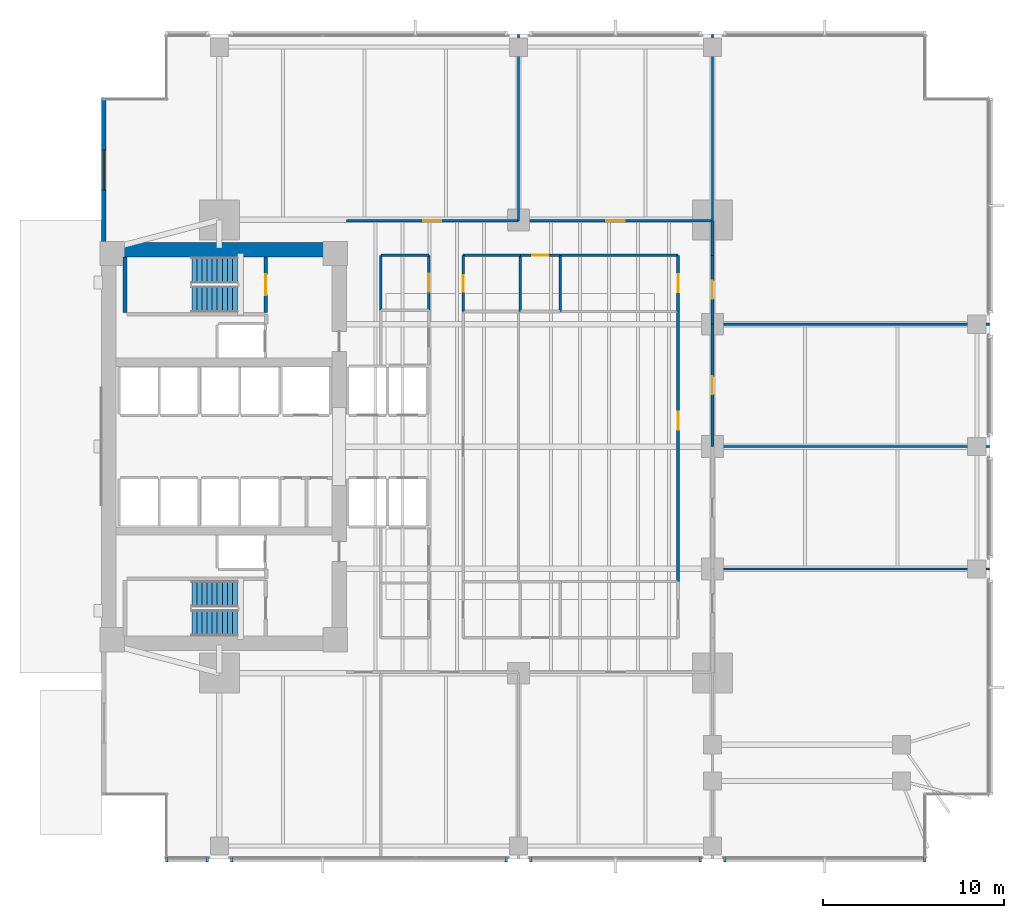
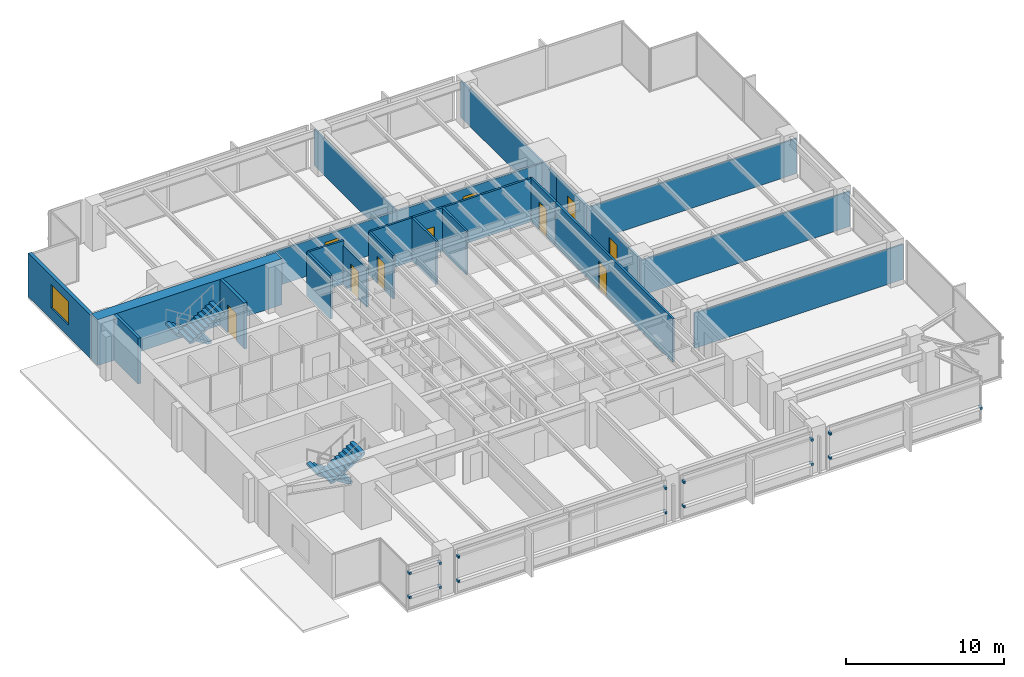
# One storey, part 11 of 16: 25 walls, 15 discrete accessories, 10 doors, 4 stair flights, 1 window, 11 openings, 2 elements without a shape of their own.
"""IFC4 building model written with IfcOpenShell, lengths in metres."""

from ifc_helpers import new_model, si_unit, direction, frame, frame_2d, origin, origin_2d, place, context, subcontext, project, spatial, polyline, rectangle, outline, extrude, material, layer, layer_set, type_object, element, fill, aggregate, save


model = new_model("IFC4")

# Units and contexts
model_context = context("Model", 3, precision=1e-05, world=origin(), true_north=direction((0.0, 1.0)))
body_context = subcontext(model_context, "Body", "Model", "MODEL_VIEW")
ifc_project = project(units=[si_unit("LENGTHUNIT", "METRE"), si_unit("AREAUNIT", "SQUARE_METRE"), si_unit("VOLUMEUNIT", "CUBIC_METRE"), si_unit("PLANEANGLEUNIT", "RADIAN"), si_unit("MASSUNIT", "GRAM", prefix="KILO")], contexts=[model_context])

# Site, building, storey
site_placement = place(None, origin())
site = spatial("IfcSite", under=ifc_project, at=site_placement, CompositionType="ELEMENT")
building_placement = place(site_placement, origin())
building = spatial("IfcBuilding", under=site, at=building_placement, Name="Kinhvarn Gate Tower", CompositionType="ELEMENT")
storey_placement = place(building_placement, frame((0.0, 0.0, 25.60009765625)))
storey = spatial("IfcBuildingStorey", under=building, at=storey_placement, Name="L05", CompositionType="ELEMENT", Elevation=25.60009765625)

# Wall
ifc_material_1 = material(Name="Concrete C70/85", Category="concrete")
ifc_layer_1 = layer(ifc_material_1, 0.800048828125)
ifc_layer_set_1 = layer_set([ifc_layer_1], Name="Concrete C70/85")
wall_type_1 = type_object("IfcWallType", Name="WL-CORE-800", PredefinedType="SHEAR", material=ifc_layer_set_1)
wall_1_placement = place(storey_placement, frame((4.5, 36.10009765625, 0.0), z_axis=(0.0, 0.0, 1.0), x_axis=(1.0, 0.0, 0.0)))
element("IfcWall", 1, at=wall_1_placement, inside=storey, type_object=wall_type_1, Name="Core North Shear Wall L05 800 mm", PredefinedType="SHEAR", context=body_context, shape_type="SweptSolid", body=[
    extrude(rectangle(XDim=13.5, YDim=0.800048828125, at=frame_2d((6.75, 0.0))), origin(), (0.0, 0.0, 1.0), 3.5498046875),
])

# Wall, opening, window
ifc_material_2 = material(Name="Fired architectural terracotta", Category="masonry")
ifc_layer_2 = layer(ifc_material_2, 0.25)
ifc_layer_set_2 = layer_set([ifc_layer_2], Name="Fired architectural terracotta")
wall_type_2 = type_object("IfcWallType", Name="WL-EXT-250", PredefinedType="SOLIDWALL", material=ifc_layer_set_2)
wall_2_placement = place(storey_placement, frame((4.625, 44.5, 0.0), z_axis=(0.0, 0.0, 1.0), x_axis=(0.0, -1.0, 0.0)))
wall_2 = element("IfcWall", 2, at=wall_2_placement, inside=storey, type_object=wall_type_2, Name="Exterior Solidwall Wall EW-250 (L05 West-North)", PredefinedType="SOLIDWALL", context=body_context, shape_type="SweptSolid", body=[
    extrude(rectangle(XDim=8.0, YDim=0.25, at=frame_2d((4.0, 0.0))), origin(), (0.0, 0.0, 1.0), 3.369873046875),
])
opening_1_placement = place(wall_2_placement, frame((2.89990234375, 0.0, 0.89990234375)))
opening_1 = element("IfcOpeningElement", 3, at=opening_1_placement, cuts=wall_2, Name="Opening WN-01", PredefinedType="OPENING", context=body_context, shape_type="SweptSolid", body=[
    extrude(rectangle(XDim=2.199951171875, YDim=1.800048828125, at=frame_2d((1.10009765625, 0.89990234375))), frame((0.0, 0.135009765625, 0.0), z_axis=(0.0, -1.0, 0.0), x_axis=(1.0, 0.0, 0.0)), (0.0, 0.0, 1.0), 0.27001953125),
])
ifc_material_3 = material(Name="Clear low-e double glazing", Category="glass")
window_type = type_object("IfcWindowType", Name="WIN-RIB-2200", PartitioningType="SINGLE_PANEL", PredefinedType="WINDOW", material=ifc_material_3)
window_placement = place(opening_1_placement, origin())
window = element("IfcWindow", 4, at=window_placement, inside=storey, type_object=window_type, Name="West Flank Double-Glazed Ribbon Window 2200x1800 mm (L05)", OverallHeight=1.800048828125, OverallWidth=2.199951171875, PartitioningType="SINGLE_PANEL", PredefinedType="WINDOW", context=body_context, shape_type="SweptSolid", body=[
    extrude(rectangle(XDim=2.199951171875, YDim=1.800048828125, at=frame_2d((1.10009765625, 0.89990234375))), frame((0.0, 0.030029296875, 0.0), z_axis=(0.0, -1.0, 0.0), x_axis=(1.0, 0.0, 0.0)), (0.0, 0.0, 1.0), 0.06005859375),
])
fill(opening_1, window)

# Walls
ifc_material_4 = material(Name="Gypsum acoustic partition board")
ifc_layer_3 = layer(ifc_material_4, 0.14990234375)
ifc_layer_set_3 = layer_set([ifc_layer_3], Name="Gypsum acoustic partition board")
wall_type_3 = type_object("IfcWallType", Name="WL-PLM-150", PredefinedType="PLUMBINGWALL", material=ifc_layer_set_3)
for number, where, z_axis, x_axis, name in (
    (5, (27.60009765625, 32.699951171875, 0.0), (0.0, 0.0, 1.0), (0.0, 1.0, 0.0), "Interior Partition PLW-150 (L05)"),
    (6, (29.800048828125, 32.699951171875, 0.0), (0.0, 0.0, 1.0), (0.0, 1.0, 0.0), "Interior Partition PLW-150 (L05)"),
):
    element("IfcWall", number, at=place(storey_placement, frame(where, z_axis=z_axis, x_axis=x_axis)), inside=storey, type_object=wall_type_3, Name=name, PredefinedType="PLUMBINGWALL", context=body_context, shape_type="SweptSolid", body=[
        extrude(rectangle(XDim=3.10009765625, YDim=0.14990234375, at=frame_2d((1.550048828125, 0.0))), origin(), (0.0, 0.0, 1.0), 3.369873046875),
    ])

# Wall, opening, door
ifc_layer_4 = layer(ifc_material_4, 0.14990234375)
ifc_layer_set_4 = layer_set([ifc_layer_4], Name="Gypsum acoustic partition board")
wall_type_4 = type_object("IfcWallType", Name="WL-PLM-150F", PredefinedType="PLUMBINGWALL", material=ifc_layer_set_4)
wall_3_placement = place(storey_placement, frame((24.449951171875, 32.699951171875, 0.0), z_axis=(0.0, 0.0, 1.0), x_axis=(0.0, 1.0, 0.0)))
wall_3 = element("IfcWall", 7, at=wall_3_placement, inside=storey, type_object=wall_type_4, Name="Interior Partition PLW-150F (L05)", PredefinedType="PLUMBINGWALL", context=body_context, shape_type="SweptSolid", body=[
    extrude(rectangle(XDim=3.10009765625, YDim=0.14990234375, at=frame_2d((1.550048828125, 0.0))), origin(), (0.0, 0.0, 1.0), 3.369873046875),
])
opening_2_placement = place(wall_3_placement, frame((1.10009765625, 0.0, 0.0)))
opening_2 = element("IfcOpeningElement", 8, at=opening_2_placement, cuts=wall_3, Name="Opening FD-04", PredefinedType="OPENING", context=body_context, shape_type="SweptSolid", body=[
    extrude(rectangle(XDim=0.89990234375, YDim=2.10009765625, at=frame_2d((0.449951171875, 1.050048828125))), frame((0.0, 0.0849609375, 0.0), z_axis=(0.0, -1.0, 0.0), x_axis=(1.0, 0.0, 0.0)), (0.0, 0.0, 1.0), 0.169921875),
])
ifc_material_5 = material(Name="Anodised aluminium AW-6063", Category="aluminium")
door_type_1 = type_object("IfcDoorType", Name="DR-FD-900", OperationType="NOTDEFINED", PredefinedType="DOOR", material=ifc_material_5)
door_1_placement = place(opening_2_placement, origin())
door_1 = element("IfcDoor", 9, at=door_1_placement, inside=storey, type_object=door_type_1, Name="Rated Riser & Service Closet Fire Door 900x2100 mm (L05)", OperationType="SINGLE_SWING_RIGHT", OverallHeight=2.10009765625, OverallWidth=0.89990234375, PredefinedType="DOOR", context=body_context, shape_type="SweptSolid", body=[
    extrude(rectangle(XDim=0.89990234375, YDim=2.10009765625, at=frame_2d((0.449951171875, 1.050048828125))), frame((0.0, 0.02490234375, 0.0), z_axis=(0.0, -1.0, 0.0), x_axis=(1.0, 0.0, 0.0)), (0.0, 0.0, 1.0), 0.050048828125),
])
fill(opening_2, door_1)

# Wall
wall_4_placement = place(storey_placement, frame((24.449951171875, 35.800048828125, 0.0), z_axis=(0.0, 0.0, 1.0), x_axis=(1.0, 0.0, 0.0)))
element("IfcWall", 10, at=wall_4_placement, inside=storey, type_object=wall_type_4, Name="Interior Partition PLW-150F (L05)", PredefinedType="PLUMBINGWALL", context=body_context, shape_type="SweptSolid", body=[
    extrude(rectangle(XDim=3.150146484375, YDim=0.14990234375, at=frame_2d((1.5751953125, 0.0))), origin(), (0.0, 0.0, 1.0), 3.369873046875),
])

# Wall, opening, door
wall_5_placement = place(storey_placement, frame((27.60009765625, 35.800048828125, 0.0), z_axis=(0.0, 0.0, 1.0), x_axis=(1.0, 0.0, 0.0)))
wall_5 = element("IfcWall", 11, at=wall_5_placement, inside=storey, type_object=wall_type_4, Name="Interior Partition PLW-150F (L05)", PredefinedType="PLUMBINGWALL", context=body_context, shape_type="SweptSolid", body=[
    extrude(rectangle(XDim=2.199951171875, YDim=0.14990234375, at=frame_2d((1.10009765625, 0.0))), origin(), (0.0, 0.0, 1.0), 3.369873046875),
])
opening_3_placement = place(wall_5_placement, frame((0.64990234375, 0.0, 0.0)))
opening_3 = element("IfcOpeningElement", 12, at=opening_3_placement, cuts=wall_5, Name="Opening FD-04", PredefinedType="OPENING", context=body_context, shape_type="SweptSolid", body=[
    extrude(rectangle(XDim=0.89990234375, YDim=2.10009765625, at=frame_2d((0.449951171875, 1.050048828125))), frame((0.0, 0.0849609375, 0.0), z_axis=(0.0, -1.0, 0.0), x_axis=(1.0, 0.0, 0.0)), (0.0, 0.0, 1.0), 0.169921875),
])
door_2_placement = place(opening_3_placement, origin())
door_2 = element("IfcDoor", 13, at=door_2_placement, inside=storey, type_object=door_type_1, Name="Rated Riser & Service Closet Fire Door 900x2100 mm (L05)", OperationType="SINGLE_SWING_RIGHT", OverallHeight=2.10009765625, OverallWidth=0.89990234375, PredefinedType="DOOR", context=body_context, shape_type="SweptSolid", body=[
    extrude(rectangle(XDim=0.89990234375, YDim=2.10009765625, at=frame_2d((0.449951171875, 1.050048828125))), frame((0.0, 0.02490234375, 0.0), z_axis=(0.0, -1.0, 0.0), x_axis=(1.0, 0.0, 0.0)), (0.0, 0.0, 1.0), 0.050048828125),
])
fill(opening_3, door_2)

# Walls
ifc_layer_5 = layer(ifc_material_4, 0.1201171875)
ifc_layer_set_5 = layer_set([ifc_layer_5], Name="Gypsum acoustic partition board")
wall_type_5 = type_object("IfcWallType", Name="WL-PRT-120", PredefinedType="PARTITIONING", material=ifc_layer_set_5)
for number, where, z_axis, x_axis, name in (
    (14, (27.5, 37.699951171875, 0.0), (0.0, 0.0, 1.0), (0.0, 1.0, 0.0), "Interior Partition PW-120 (L05)"),
    (15, (38.199951171875, 37.699951171875, 0.0), (0.0, 0.0, 1.0), (0.0, 1.0, 0.0), "Interior Partition PW-120 (L05)"),
):
    element("IfcWall", number, at=place(storey_placement, frame(where, z_axis=z_axis, x_axis=x_axis)), inside=storey, type_object=wall_type_5, Name=name, PredefinedType="PARTITIONING", context=body_context, shape_type="SweptSolid", body=[
        extrude(rectangle(XDim=10.2900390625, YDim=0.1201171875, at=frame_2d((5.14501953125, 0.0))), origin(), (0.0, 0.0, 1.0), 2.81982421875),
    ])
for number, where, z_axis, x_axis, name in (
    (16, (38.199951171875, 18.5, 0.0), (0.0, 0.0, 1.0), (1.0, 0.0, 0.0), "Interior Partition PW-120 (L05)"),
    (17, (38.199951171875, 25.25, 0.0), (0.0, 0.0, 1.0), (1.0, 0.0, 0.0), "Interior Partition PW-120 (L05)"),
    (18, (38.199951171875, 32.0, 0.0), (0.0, 0.0, 1.0), (1.0, 0.0, 0.0), "Interior Partition PW-120 (L05)"),
):
    element("IfcWall", number, at=place(storey_placement, frame(where, z_axis=z_axis, x_axis=x_axis)), inside=storey, type_object=wall_type_5, Name=name, PredefinedType="PARTITIONING", context=body_context, shape_type="SweptSolid", body=[
        extrude(rectangle(XDim=15.2900390625, YDim=0.1201171875, at=frame_2d((7.64501953125, 0.0))), origin(), (0.0, 0.0, 1.0), 2.719970703125),
    ])

# Wall, opening, door
ifc_layer_6 = layer(ifc_material_4, 0.14990234375)
ifc_layer_set_6 = layer_set([ifc_layer_6], Name="Gypsum acoustic partition board")
wall_type_6 = type_object("IfcWallType", Name="WL-PRT-150F", PredefinedType="PARTITIONING", material=ifc_layer_set_6)
wall_6_placement = place(storey_placement, frame((22.550048828125, 32.77001953125, 0.0), z_axis=(0.0, 0.0, 1.0), x_axis=(0.0, 1.0, 0.0)))
wall_6 = element("IfcWall", 19, at=wall_6_placement, inside=storey, type_object=wall_type_6, Name="Interior Partition PW-150F (L05)", PredefinedType="PARTITIONING", context=body_context, shape_type="SweptSolid", body=[
    extrude(rectangle(XDim=3.030029296875, YDim=0.14990234375, at=frame_2d((1.51513671875, 0.0))), origin(), (0.0, 0.0, 1.0), 3.010009765625),
])
opening_4_placement = place(wall_6_placement, frame((1.014892578125, 0.0, 0.0)))
opening_4 = element("IfcOpeningElement", 20, at=opening_4_placement, cuts=wall_6, Name="Opening ID-02", PredefinedType="OPENING", context=body_context, shape_type="SweptSolid", body=[
    extrude(rectangle(XDim=1.0, YDim=2.14990234375, at=frame_2d((0.5, 1.074951171875))), frame((0.0, 0.0849609375, 0.0), z_axis=(0.0, -1.0, 0.0), x_axis=(1.0, 0.0, 0.0)), (0.0, 0.0, 1.0), 0.169921875),
])
door_type_2 = type_object("IfcDoorType", Name="DR-INT-1000", OperationType="NOTDEFINED", PredefinedType="DOOR", material=ifc_material_5)
door_3_placement = place(opening_4_placement, origin())
door_3 = element("IfcDoor", 21, at=door_3_placement, inside=storey, type_object=door_type_2, Name="Standard Office & Meeting Room Door 1000x2150 mm (L05)", OperationType="SINGLE_SWING_RIGHT", OverallHeight=2.14990234375, OverallWidth=1.0, PredefinedType="DOOR", context=body_context, shape_type="SweptSolid", body=[
    extrude(rectangle(XDim=1.0, YDim=2.14990234375, at=frame_2d((0.5, 1.074951171875))), frame((0.0, 0.02490234375, 0.0), z_axis=(0.0, -1.0, 0.0), x_axis=(1.0, 0.0, 0.0)), (0.0, 0.0, 1.0), 0.050048828125),
])
fill(opening_4, door_3)

# Walls
wall_7_placement = place(storey_placement, frame((19.89990234375, 32.77001953125, 0.0), z_axis=(0.0, 0.0, 1.0), x_axis=(0.0, 1.0, 0.0)))
element("IfcWall", 22, at=wall_7_placement, inside=storey, type_object=wall_type_6, Name="Interior Partition PW-150F (L05)", PredefinedType="PARTITIONING", context=body_context, shape_type="SweptSolid", body=[
    extrude(rectangle(XDim=3.030029296875, YDim=0.14990234375, at=frame_2d((1.51513671875, 0.0))), origin(), (0.0, 0.0, 1.0), 3.369873046875),
])
wall_8_placement = place(storey_placement, frame((19.89990234375, 35.800048828125, 0.0), z_axis=(0.0, 0.0, 1.0), x_axis=(1.0, 0.0, 0.0)))
element("IfcWall", 23, at=wall_8_placement, inside=storey, type_object=wall_type_6, Name="Interior Partition PW-150F (L05)", PredefinedType="PARTITIONING", context=body_context, shape_type="SweptSolid", body=[
    extrude(rectangle(XDim=2.650146484375, YDim=0.14990234375, at=frame_2d((1.3251953125, 0.0))), origin(), (0.0, 0.0, 1.0), 3.369873046875),
])
wall_9_placement = place(storey_placement, frame((29.800048828125, 35.800048828125, 0.0), z_axis=(0.0, 0.0, 1.0), x_axis=(1.0, 0.0, 0.0)))
element("IfcWall", 24, at=wall_9_placement, inside=storey, type_object=wall_type_6, Name="Interior Partition PW-150F (L05)", PredefinedType="PARTITIONING", context=body_context, shape_type="SweptSolid", body=[
    extrude(rectangle(XDim=6.5, YDim=0.14990234375, at=frame_2d((3.25, 0.0))), origin(), (0.0, 0.0, 1.0), 3.369873046875),
])

# Wall, opening, door
wall_10_placement = place(storey_placement, frame((18.0, 37.699951171875, 0.0), z_axis=(0.0, 0.0, 1.0), x_axis=(1.0, 0.0, 0.0)))
wall_10 = element("IfcWall", 25, at=wall_10_placement, inside=storey, type_object=wall_type_6, Name="Interior Partition PW-150F (L05)", PredefinedType="PARTITIONING", context=body_context, shape_type="SweptSolid", body=[
    extrude(rectangle(XDim=9.5, YDim=0.14990234375, at=frame_2d((4.75, 0.0))), origin(), (0.0, 0.0, 1.0), 2.719970703125),
])
opening_5_placement = place(wall_10_placement, frame((4.25, 0.0, 0.0)))
opening_5 = element("IfcOpeningElement", 26, at=opening_5_placement, cuts=wall_10, Name="Opening ID-02", PredefinedType="OPENING", context=body_context, shape_type="SweptSolid", body=[
    extrude(rectangle(XDim=1.0, YDim=2.14990234375, at=frame_2d((0.5, 1.074951171875))), frame((0.0, 0.0849609375, 0.0), z_axis=(0.0, -1.0, 0.0), x_axis=(1.0, 0.0, 0.0)), (0.0, 0.0, 1.0), 0.169921875),
])
door_4_placement = place(opening_5_placement, origin())
door_4 = element("IfcDoor", 27, at=door_4_placement, inside=storey, type_object=door_type_2, Name="Standard Office & Meeting Room Door 1000x2150 mm (L05)", OperationType="SINGLE_SWING_LEFT", OverallHeight=2.14990234375, OverallWidth=1.0, PredefinedType="DOOR", context=body_context, shape_type="SweptSolid", body=[
    extrude(rectangle(XDim=1.0, YDim=2.14990234375, at=frame_2d((0.5, 1.074951171875))), frame((0.0, 0.02490234375, 0.0), z_axis=(0.0, -1.0, 0.0), x_axis=(1.0, 0.0, 0.0)), (0.0, 0.0, 1.0), 0.050048828125),
])
fill(opening_5, door_4)

wall_11_placement = place(storey_placement, frame((27.5, 37.699951171875, 0.0), z_axis=(0.0, 0.0, 1.0), x_axis=(1.0, 0.0, 0.0)))
wall_11 = element("IfcWall", 28, at=wall_11_placement, inside=storey, type_object=wall_type_6, Name="Interior Partition PW-150F (L05)", PredefinedType="PARTITIONING", context=body_context, shape_type="SweptSolid", body=[
    extrude(rectangle(XDim=10.699951171875, YDim=0.14990234375, at=frame_2d((5.35009765625, 0.0))), origin(), (0.0, 0.0, 1.0), 2.719970703125),
])
opening_6_placement = place(wall_11_placement, frame((4.85009765625, 0.0, 0.0)))
opening_6 = element("IfcOpeningElement", 29, at=opening_6_placement, cuts=wall_11, Name="Opening ID-02", PredefinedType="OPENING", context=body_context, shape_type="SweptSolid", body=[
    extrude(rectangle(XDim=1.0, YDim=2.14990234375, at=frame_2d((0.5, 1.074951171875))), frame((0.0, 0.0849609375, 0.0), z_axis=(0.0, -1.0, 0.0), x_axis=(1.0, 0.0, 0.0)), (0.0, 0.0, 1.0), 0.169921875),
])
door_5_placement = place(opening_6_placement, origin())
door_5 = element("IfcDoor", 30, at=door_5_placement, inside=storey, type_object=door_type_2, Name="Standard Office & Meeting Room Door 1000x2150 mm (L05)", OperationType="SINGLE_SWING_RIGHT", OverallHeight=2.14990234375, OverallWidth=1.0, PredefinedType="DOOR", context=body_context, shape_type="SweptSolid", body=[
    extrude(rectangle(XDim=1.0, YDim=2.14990234375, at=frame_2d((0.5, 1.074951171875))), frame((0.0, 0.02490234375, 0.0), z_axis=(0.0, -1.0, 0.0), x_axis=(1.0, 0.0, 0.0)), (0.0, 0.0, 1.0), 0.050048828125),
])
fill(opening_6, door_5)

# Wall
wall_12_placement = place(storey_placement, frame((38.199951171875, 35.800048828125, 0.0), z_axis=(0.0, 0.0, 1.0), x_axis=(0.0, 1.0, 0.0)))
element("IfcWall", 31, at=wall_12_placement, inside=storey, type_object=wall_type_6, Name="Interior Partition PW-150F (L05)", PredefinedType="PARTITIONING", context=body_context, shape_type="SweptSolid", body=[
    extrude(rectangle(XDim=1.89990234375, YDim=0.14990234375, at=frame_2d((0.949951171875, 0.0))), origin(), (0.0, 0.0, 1.0), 2.81982421875),
])

# Wall, opening, door
wall_13_placement = place(storey_placement, frame((36.300048828125, 32.699951171875, 0.0), z_axis=(0.0, 0.0, 1.0), x_axis=(0.0, 1.0, 0.0)))
wall_13 = element("IfcWall", 32, at=wall_13_placement, inside=storey, type_object=wall_type_6, Name="Interior Partition PW-150F (L05)", PredefinedType="PARTITIONING", context=body_context, shape_type="SweptSolid", body=[
    extrude(rectangle(XDim=3.10009765625, YDim=0.14990234375, at=frame_2d((1.550048828125, 0.0))), origin(), (0.0, 0.0, 1.0), 3.369873046875),
])
opening_7_placement = place(wall_13_placement, frame((1.050048828125, 0.0, 0.0)))
opening_7 = element("IfcOpeningElement", 33, at=opening_7_placement, cuts=wall_13, Name="Opening ID-02", PredefinedType="OPENING", context=body_context, shape_type="SweptSolid", body=[
    extrude(rectangle(XDim=1.0, YDim=2.14990234375, at=frame_2d((0.5, 1.074951171875))), frame((0.0, 0.0849609375, 0.0), z_axis=(0.0, -1.0, 0.0), x_axis=(1.0, 0.0, 0.0)), (0.0, 0.0, 1.0), 0.169921875),
])
door_6_placement = place(opening_7_placement, origin())
door_6 = element("IfcDoor", 34, at=door_6_placement, inside=storey, type_object=door_type_2, Name="Standard Office & Meeting Room Door 1000x2150 mm (L05)", OperationType="SINGLE_SWING_RIGHT", OverallHeight=2.14990234375, OverallWidth=1.0, PredefinedType="DOOR", context=body_context, shape_type="SweptSolid", body=[
    extrude(rectangle(XDim=1.0, YDim=2.14990234375, at=frame_2d((0.5, 1.074951171875))), frame((0.0, 0.02490234375, 0.0), z_axis=(0.0, -1.0, 0.0), x_axis=(1.0, 0.0, 0.0)), (0.0, 0.0, 1.0), 0.050048828125),
])
fill(opening_7, door_6)

wall_14_placement = place(storey_placement, frame((36.300048828125, 17.800048828125, 0.0), z_axis=(0.0, 0.0, 1.0), x_axis=(0.0, 1.0, 0.0)))
wall_14 = element("IfcWall", 35, at=wall_14_placement, inside=storey, type_object=wall_type_6, Name="Interior Partition PW-150F (L05)", PredefinedType="PARTITIONING", context=body_context, shape_type="SweptSolid", body=[
    extrude(rectangle(XDim=14.89990234375, YDim=0.14990234375, at=frame_2d((7.449951171875, 0.0))), origin(), (0.0, 0.0, 1.0), 3.369873046875),
])
opening_8_placement = place(wall_14_placement, frame((8.364013671875, 0.0, 0.0)))
opening_8 = element("IfcOpeningElement", 36, at=opening_8_placement, cuts=wall_14, Name="Opening ID-02", PredefinedType="OPENING", context=body_context, shape_type="SweptSolid", body=[
    extrude(rectangle(XDim=1.0, YDim=2.14990234375, at=frame_2d((0.5, 1.074951171875))), frame((0.0, 0.0849609375, 0.0), z_axis=(0.0, -1.0, 0.0), x_axis=(1.0, 0.0, 0.0)), (0.0, 0.0, 1.0), 0.169921875),
])
door_7_placement = place(opening_8_placement, origin())
door_7 = element("IfcDoor", 37, at=door_7_placement, inside=storey, type_object=door_type_2, Name="Standard Office & Meeting Room Door 1000x2150 mm (L05)", OperationType="SINGLE_SWING_LEFT", OverallHeight=2.14990234375, OverallWidth=1.0, PredefinedType="DOOR", context=body_context, shape_type="SweptSolid", body=[
    extrude(rectangle(XDim=1.0, YDim=2.14990234375, at=frame_2d((0.5, 1.074951171875))), frame((0.0, 0.02490234375, 0.0), z_axis=(0.0, -1.0, 0.0), x_axis=(1.0, 0.0, 0.0)), (0.0, 0.0, 1.0), 0.050048828125),
])
fill(opening_8, door_7)

wall_15_placement = place(storey_placement, frame((38.199951171875, 25.25, 0.0), z_axis=(0.0, 0.0, 1.0), x_axis=(0.0, 1.0, 0.0)))
wall_15 = element("IfcWall", 38, at=wall_15_placement, inside=storey, type_object=wall_type_6, Name="Interior Partition PW-150F (L05)", PredefinedType="PARTITIONING", context=body_context, shape_type="SweptSolid", body=[
    extrude(rectangle(XDim=6.75, YDim=0.14990234375, at=frame_2d((3.375, 0.0))), origin(), (0.0, 0.0, 1.0), 2.81982421875),
])
opening_9_placement = place(wall_15_placement, frame((2.875, 0.0, 0.0)))
opening_9 = element("IfcOpeningElement", 39, at=opening_9_placement, cuts=wall_15, Name="Opening ID-02", PredefinedType="OPENING", context=body_context, shape_type="SweptSolid", body=[
    extrude(rectangle(XDim=1.0, YDim=2.14990234375, at=frame_2d((0.5, 1.074951171875))), frame((0.0, 0.0849609375, 0.0), z_axis=(0.0, -1.0, 0.0), x_axis=(1.0, 0.0, 0.0)), (0.0, 0.0, 1.0), 0.169921875),
])
door_8_placement = place(opening_9_placement, origin())
door_8 = element("IfcDoor", 40, at=door_8_placement, inside=storey, type_object=door_type_2, Name="Standard Office & Meeting Room Door 1000x2150 mm (L05)", OperationType="SINGLE_SWING_RIGHT", OverallHeight=2.14990234375, OverallWidth=1.0, PredefinedType="DOOR", context=body_context, shape_type="SweptSolid", body=[
    extrude(rectangle(XDim=1.0, YDim=2.14990234375, at=frame_2d((0.5, 1.074951171875))), frame((0.0, 0.02490234375, 0.0), z_axis=(0.0, -1.0, 0.0), x_axis=(1.0, 0.0, 0.0)), (0.0, 0.0, 1.0), 0.050048828125),
])
fill(opening_9, door_8)

wall_16_placement = place(storey_placement, frame((38.199951171875, 32.0, 0.0), z_axis=(0.0, 0.0, 1.0), x_axis=(0.0, 1.0, 0.0)))
wall_16 = element("IfcWall", 41, at=wall_16_placement, inside=storey, type_object=wall_type_6, Name="Interior Partition PW-150F (L05)", PredefinedType="PARTITIONING", context=body_context, shape_type="SweptSolid", body=[
    extrude(rectangle(XDim=3.800048828125, YDim=0.14990234375, at=frame_2d((1.89990234375, 0.0))), origin(), (0.0, 0.0, 1.0), 2.81982421875),
])
opening_10_placement = place(wall_16_placement, frame((1.39990234375, 0.0, 0.0)))
opening_10 = element("IfcOpeningElement", 42, at=opening_10_placement, cuts=wall_16, Name="Opening ID-02", PredefinedType="OPENING", context=body_context, shape_type="SweptSolid", body=[
    extrude(rectangle(XDim=1.0, YDim=2.14990234375, at=frame_2d((0.5, 1.074951171875))), frame((0.0, 0.0849609375, 0.0), z_axis=(0.0, -1.0, 0.0), x_axis=(1.0, 0.0, 0.0)), (0.0, 0.0, 1.0), 0.169921875),
])
door_9_placement = place(opening_10_placement, origin())
door_9 = element("IfcDoor", 43, at=door_9_placement, inside=storey, type_object=door_type_2, Name="Standard Office & Meeting Room Door 1000x2150 mm (L05)", OperationType="SINGLE_SWING_LEFT", OverallHeight=2.14990234375, OverallWidth=1.0, PredefinedType="DOOR", context=body_context, shape_type="SweptSolid", body=[
    extrude(rectangle(XDim=1.0, YDim=2.14990234375, at=frame_2d((0.5, 1.074951171875))), frame((0.0, 0.02490234375, 0.0), z_axis=(0.0, -1.0, 0.0), x_axis=(1.0, 0.0, 0.0)), (0.0, 0.0, 1.0), 0.050048828125),
])
fill(opening_10, door_9)

# Wall
ifc_material_6 = material(Name="Concrete C40/50", Category="concrete")
ifc_layer_7 = layer(ifc_material_6, 0.199951171875)
ifc_layer_set_7 = layer_set([ifc_layer_7], Name="Concrete C40/50")
wall_type_7 = type_object("IfcWallType", Name="WL-SHF-200", PredefinedType="SOLIDWALL", material=ifc_layer_set_7)
wall_17_placement = place(storey_placement, frame((5.7900390625, 32.64990234375, 0.0), z_axis=(0.0, 0.0, 1.0), x_axis=(0.0, 1.0, 0.0)))
element("IfcWall", 44, at=wall_17_placement, inside=storey, type_object=wall_type_7, Name="Stair ST2 West Shaft Wall (L05)", PredefinedType="SOLIDWALL", context=body_context, shape_type="SweptSolid", body=[
    extrude(rectangle(XDim=3.050048828125, YDim=0.199951171875, at=frame_2d((1.52490234375, 0.0))), origin(), (0.0, 0.0, 1.0), 3.5498046875),
])

# Wall, opening, door
wall_18_placement = place(storey_placement, frame((13.56005859375, 32.64990234375, 0.0), z_axis=(0.0, 0.0, 1.0), x_axis=(0.0, 1.0, 0.0)))
wall_18 = element("IfcWall", 45, at=wall_18_placement, inside=storey, type_object=wall_type_7, Name="Stair ST2 East Entry Wall (L05)", PredefinedType="SOLIDWALL", context=body_context, shape_type="SweptSolid", body=[
    extrude(rectangle(XDim=3.050048828125, YDim=0.199951171875, at=frame_2d((1.52490234375, 0.0))), origin(), (0.0, 0.0, 1.0), 3.5498046875),
])
opening_11_placement = place(wall_18_placement, frame((0.949951171875, 0.0, 0.0)))
opening_11 = element("IfcOpeningElement", 46, at=opening_11_placement, cuts=wall_18, Name="Opening FD-01", PredefinedType="OPENING", context=body_context, shape_type="SweptSolid", body=[
    extrude(rectangle(XDim=1.14990234375, YDim=2.14990234375, at=frame_2d((0.574951171875, 1.074951171875))), frame((0.0, 0.10986328125, 0.0), z_axis=(0.0, -1.0, 0.0), x_axis=(1.0, 0.0, 0.0)), (0.0, 0.0, 1.0), 0.219970703125),
])
door_type_3 = type_object("IfcDoorType", Name="DR-ST-1150", OperationType="NOTDEFINED", PredefinedType="DOOR", material=ifc_material_5)
door_10_placement = place(opening_11_placement, origin())
door_10 = element("IfcDoor", 47, at=door_10_placement, inside=storey, type_object=door_type_3, Name="Exit Stair ST2 Fire Door (L05)", OperationType="SINGLE_SWING_RIGHT", OverallHeight=2.14990234375, OverallWidth=1.14990234375, PredefinedType="DOOR", context=body_context, shape_type="SweptSolid", body=[
    extrude(rectangle(XDim=1.14990234375, YDim=2.14990234375, at=frame_2d((0.574951171875, 1.074951171875))), frame((0.0, 0.02490234375, 0.0), z_axis=(0.0, -1.0, 0.0), x_axis=(1.0, 0.0, 0.0)), (0.0, 0.0, 1.0), 0.050048828125),
])
fill(opening_11, door_10)

# Stair, stair flights
stair_type = type_object("IfcStairType", Name="STR-DLG-177", PredefinedType="HALF_TURN_STAIR", material=ifc_material_6)
stair_1_placement = place(storey_placement, origin())
stair_1 = element("IfcStair", 48, at=stair_1_placement, inside=storey, type_object=stair_type, Name="L05 Core Smokeproof Exit Stair ST1", PredefinedType="HALF_TURN_STAIR")
stair_flight_type = type_object("IfcStairFlightType", Name="STF-DLG-177", PredefinedType="STRAIGHT", material=ifc_material_6)
stair_flight_1_placement = place(storey_placement, frame((12.0, 17.125, 0.0), z_axis=(0.0, 0.0, 1.0), x_axis=(-1.0, 0.0, 0.0)))
stair_flight_1 = element("IfcStairFlight", 49, at=stair_flight_1_placement, type_object=stair_flight_type, Name="ST1 flight 1", NumberOfRisers=10, NumberOfTreads=9, PredefinedType="STRAIGHT", RiserHeight=0.1775, TreadLength=0.28, context=body_context, shape_type="SweptSolid", body=[
    extrude(outline(polyline([(0.0, 0.0), (0.0, 0.177490234375), (0.280029296875, 0.177490234375), (0.280029296875, 0.35498046875), (0.56005859375, 0.35498046875), (0.56005859375, 0.532470703125), (0.840087890625, 0.532470703125), (0.840087890625, 0.7099609375), (1.1201171875, 0.7099609375), (1.1201171875, 0.887451171875), (1.39990234375, 0.887451171875), (1.39990234375, 1.06494140625), (1.679931640625, 1.06494140625), (1.679931640625, 1.242431640625), (1.9599609375, 1.242431640625), (1.9599609375, 1.419921875), (2.239990234375, 1.419921875), (2.239990234375, 1.597412109375), (2.52001953125, 1.597412109375), (2.52001953125, 1.77490234375), (2.52001953125, 1.419921875), (0.280029296875, 0.0), (0.0, 0.0)])), frame((0.0, 0.72509765625, 0.0), z_axis=(0.0, -1.0, 0.0), x_axis=(1.0, 0.0, 0.0)), (0.0, 0.0, 1.0), 1.449951171875),
])
stair_flight_2_placement = place(storey_placement, frame((9.47998046875, 15.52490234375, 1.77490234375), z_axis=(0.0, 0.0, 1.0), x_axis=(1.0, 0.0, 0.0)))
stair_flight_2 = element("IfcStairFlight", 50, at=stair_flight_2_placement, type_object=stair_flight_type, Name="ST1 flight 2", NumberOfRisers=10, NumberOfTreads=9, PredefinedType="STRAIGHT", RiserHeight=0.1775, TreadLength=0.28, context=body_context, shape_type="SweptSolid", body=[
    extrude(outline(polyline([(0.0, 0.0), (0.0, 0.177490234375), (0.280029296875, 0.177490234375), (0.280029296875, 0.35498046875), (0.56005859375, 0.35498046875), (0.56005859375, 0.532470703125), (0.840087890625, 0.532470703125), (0.840087890625, 0.7099609375), (1.1201171875, 0.7099609375), (1.1201171875, 0.887451171875), (1.39990234375, 0.887451171875), (1.39990234375, 1.06494140625), (1.679931640625, 1.06494140625), (1.679931640625, 1.242431640625), (1.9599609375, 1.242431640625), (1.9599609375, 1.419921875), (2.239990234375, 1.419921875), (2.239990234375, 1.597412109375), (2.52001953125, 1.597412109375), (2.52001953125, 1.77490234375), (2.52001953125, 1.419921875), (0.280029296875, 0.0), (0.0, 0.0)])), frame((0.0, 0.72509765625, 0.0), z_axis=(0.0, -1.0, 0.0), x_axis=(1.0, 0.0, 0.0)), (0.0, 0.0, 1.0), 1.449951171875),
])
aggregate(stair_1, [stair_flight_1, stair_flight_2])

stair_2_placement = place(storey_placement, origin())
stair_2 = element("IfcStair", 51, at=stair_2_placement, inside=storey, type_object=stair_type, Name="L05 Core Smokeproof Exit Stair ST2", PredefinedType="HALF_TURN_STAIR")
stair_flight_3_placement = place(storey_placement, frame((12.0, 34.97509765625, 0.0), z_axis=(0.0, 0.0, 1.0), x_axis=(-1.0, 0.0, 0.0)))
stair_flight_3 = element("IfcStairFlight", 52, at=stair_flight_3_placement, type_object=stair_flight_type, Name="ST2 flight 1", NumberOfRisers=10, NumberOfTreads=9, PredefinedType="STRAIGHT", RiserHeight=0.1775, TreadLength=0.28, context=body_context, shape_type="SweptSolid", body=[
    extrude(outline(polyline([(0.0, 0.0), (0.0, 0.177490234375), (0.280029296875, 0.177490234375), (0.280029296875, 0.35498046875), (0.56005859375, 0.35498046875), (0.56005859375, 0.532470703125), (0.840087890625, 0.532470703125), (0.840087890625, 0.7099609375), (1.1201171875, 0.7099609375), (1.1201171875, 0.887451171875), (1.39990234375, 0.887451171875), (1.39990234375, 1.06494140625), (1.679931640625, 1.06494140625), (1.679931640625, 1.242431640625), (1.9599609375, 1.242431640625), (1.9599609375, 1.419921875), (2.239990234375, 1.419921875), (2.239990234375, 1.597412109375), (2.52001953125, 1.597412109375), (2.52001953125, 1.77490234375), (2.52001953125, 1.419921875), (0.280029296875, 0.0), (0.0, 0.0)])), frame((0.0, 0.72509765625, 0.0), z_axis=(0.0, -1.0, 0.0), x_axis=(1.0, 0.0, 0.0)), (0.0, 0.0, 1.0), 1.449951171875),
])
stair_flight_4_placement = place(storey_placement, frame((9.47998046875, 33.375, 1.77490234375), z_axis=(0.0, 0.0, 1.0), x_axis=(1.0, 0.0, 0.0)))
stair_flight_4 = element("IfcStairFlight", 53, at=stair_flight_4_placement, type_object=stair_flight_type, Name="ST2 flight 2", NumberOfRisers=10, NumberOfTreads=9, PredefinedType="STRAIGHT", RiserHeight=0.1775, TreadLength=0.28, context=body_context, shape_type="SweptSolid", body=[
    extrude(outline(polyline([(0.0, 0.0), (0.0, 0.177490234375), (0.280029296875, 0.177490234375), (0.280029296875, 0.35498046875), (0.56005859375, 0.35498046875), (0.56005859375, 0.532470703125), (0.840087890625, 0.532470703125), (0.840087890625, 0.7099609375), (1.1201171875, 0.7099609375), (1.1201171875, 0.887451171875), (1.39990234375, 0.887451171875), (1.39990234375, 1.06494140625), (1.679931640625, 1.06494140625), (1.679931640625, 1.242431640625), (1.9599609375, 1.242431640625), (1.9599609375, 1.419921875), (2.239990234375, 1.419921875), (2.239990234375, 1.597412109375), (2.52001953125, 1.597412109375), (2.52001953125, 1.77490234375), (2.52001953125, 1.419921875), (0.280029296875, 0.0), (0.0, 0.0)])), frame((0.0, 0.72509765625, 0.0), z_axis=(0.0, -1.0, 0.0), x_axis=(1.0, 0.0, 0.0)), (0.0, 0.0, 1.0), 1.449951171875),
])
aggregate(stair_2, [stair_flight_3, stair_flight_4])

# Discrete accessories
discrete_accessory_type = type_object("IfcDiscreteAccessoryType", Name="ACC-BRK-01", PredefinedType="BRACKET", material=ifc_material_5)
for number, where, z_axis, x_axis, name in (
    (54, (8.10009765625, 2.4599609375, 0.9599609375), (0.0, 0.0, 1.0), (1.0, 0.0, 0.0), "Baguette Support Bracket BK-01 (L05)"),
    (55, (8.10009765625, 2.4599609375, 2.830078125), (0.0, 0.0, 1.0), (1.0, 0.0, 0.0), "Baguette Support Bracket BK-01 (L05)"),
    (56, (10.320068359375, 2.4599609375, 0.9599609375), (0.0, 0.0, 1.0), (1.0, 0.0, 0.0), "Baguette Support Bracket BK-01 (L05)"),
    (57, (10.320068359375, 2.4599609375, 2.830078125), (0.0, 0.0, 1.0), (1.0, 0.0, 0.0), "Baguette Support Bracket BK-01 (L05)"),
    (58, (11.679931640625, 2.4599609375, 0.9599609375), (0.0, 0.0, 1.0), (1.0, 0.0, 0.0), "Baguette Support Bracket BK-01 (L05)"),
    (59, (11.679931640625, 2.4599609375, 2.830078125), (0.0, 0.0, 1.0), (1.0, 0.0, 0.0), "Baguette Support Bracket BK-01 (L05)"),
    (60, (26.820068359375, 2.4599609375, 0.9599609375), (0.0, 0.0, 1.0), (1.0, 0.0, 0.0), "Baguette Support Bracket BK-01 (L05)"),
    (61, (26.820068359375, 2.4599609375, 2.830078125), (0.0, 0.0, 1.0), (1.0, 0.0, 0.0), "Baguette Support Bracket BK-01 (L05)"),
    (62, (28.179931640625, 2.4599609375, 0.9599609375), (0.0, 0.0, 1.0), (1.0, 0.0, 0.0), "Baguette Support Bracket BK-01 (L05)"),
    (63, (28.179931640625, 2.4599609375, 2.830078125), (0.0, 0.0, 1.0), (1.0, 0.0, 0.0), "Baguette Support Bracket BK-01 (L05)"),
    (64, (37.52001953125, 2.4599609375, 0.9599609375), (0.0, 0.0, 1.0), (1.0, 0.0, 0.0), "Baguette Support Bracket BK-01 (L05)"),
    (65, (37.52001953125, 2.4599609375, 2.830078125), (0.0, 0.0, 1.0), (1.0, 0.0, 0.0), "Baguette Support Bracket BK-01 (L05)"),
    (66, (38.8798828125, 2.4599609375, 0.9599609375), (0.0, 0.0, 1.0), (1.0, 0.0, 0.0), "Baguette Support Bracket BK-01 (L05)"),
    (67, (38.8798828125, 2.4599609375, 2.830078125), (0.0, 0.0, 1.0), (1.0, 0.0, 0.0), "Baguette Support Bracket BK-01 (L05)"),
    (68, (49.89990234375, 2.4599609375, 0.9599609375), (0.0, 0.0, 1.0), (1.0, 0.0, 0.0), "Baguette Support Bracket BK-01 (L05)"),
):
    element("IfcDiscreteAccessory", number, at=place(storey_placement, frame(where, z_axis=z_axis, x_axis=x_axis)), inside=storey, type_object=discrete_accessory_type, Name=name, PredefinedType="BRACKET", context=body_context, shape_type="SweptSolid", body=[
        extrude(rectangle(XDim=0.139892578125, YDim=0.280029296875, at=origin_2d()), origin(), (0.0, 0.0, 1.0), 0.179931640625),
    ])

save(model, "model.ifc")
